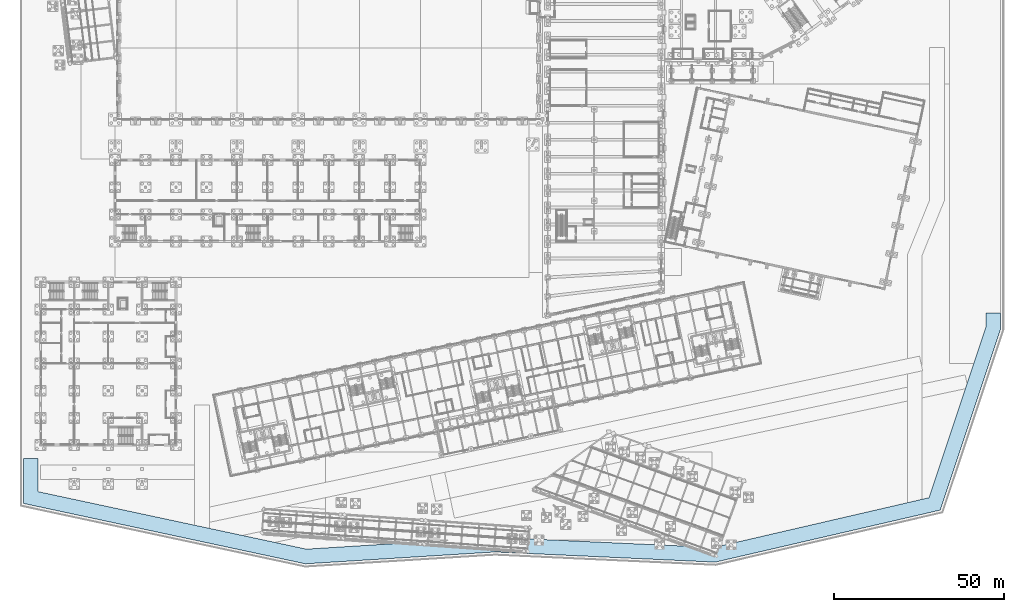
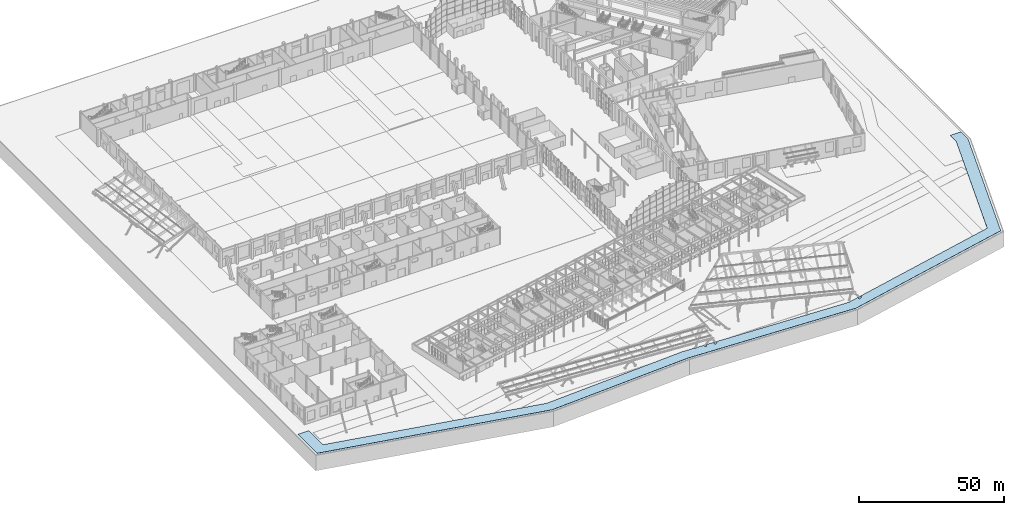
# One storey, part 146 of 239: 1 slab.
"""IFC4 building model written with IfcOpenShell, lengths in metres."""

from ifc_helpers import new_model, si_unit, direction, frame, origin, place, context, subcontext, project, spatial, polyline, outline, extrude, material, layer, layer_set, type_object, element, save


model = new_model("IFC4")

# Units and contexts
model_context = context("Model", 3, precision=1e-05, world=origin(), true_north=direction((0.0, 1.0)))
body_context = subcontext(model_context, "Body", "Model", "MODEL_VIEW")
ifc_project = project(units=[si_unit("LENGTHUNIT", "METRE"), si_unit("AREAUNIT", "SQUARE_METRE"), si_unit("VOLUMEUNIT", "CUBIC_METRE"), si_unit("PLANEANGLEUNIT", "RADIAN"), si_unit("MASSUNIT", "GRAM", prefix="KILO")], contexts=[model_context])

# Site, building, storey
site_placement = place(None, origin())
site = spatial("IfcSite", under=ifc_project, at=site_placement, CompositionType="ELEMENT")
building_placement = place(site_placement, origin())
building = spatial("IfcBuilding", under=site, at=building_placement, Name="Okhra Congress Centre", CompositionType="ELEMENT")
storey_placement = place(building_placement, origin())
storey = spatial("IfcBuildingStorey", under=building, at=storey_placement, Name="L00", CompositionType="ELEMENT", Elevation=0.0)

# Slab
ifc_material = material(Name="Concrete C30/37", Category="concrete")
ifc_layer = layer(ifc_material, 0.219970703125)
ifc_layer_set = layer_set([ifc_layer], Name="RC fire appliance lane slab 220 C30/37")
slab_type = type_object("IfcSlabType", Name="RC fire appliance lane slab 220 C30/37", PredefinedType="BASESLAB", material=ifc_layer_set)
slab_placement = place(storey_placement, frame((0.0, 0.0, -0.219970703125)))
element("IfcSlab", 1, at=slab_placement, inside=storey, type_object=slab_type, Name="Perimeter Road South paving", PredefinedType="BASESLAB", context=body_context, shape_type="SweptSolid", body=[
    extrude(outline(polyline([(84.397216796875, 5.335205078125), (5.300048828125, 22.28466796875), (5.300048828125, 32.0), (1.0, 32.0), (1.0, 18.808349609375), (84.074951171875, 1.006591796875), (139.99169921875, 4.50146484375), (204.90869140625, 1.50537109375), (271.228515625, 16.847900390625), (289.0, 70.162353515625), (289.0, 75.0), (284.699951171875, 75.0), (284.699951171875, 70.860107421875), (267.911376953125, 20.494140625), (209.693603515625, 7.02587890625), (209.901611328125, 6.769775390625), (209.92138671875, 6.739990234375), (209.95166015625, 6.67529296875), (209.968505859375, 6.606201171875), (209.9716796875, 6.534912109375), (209.9609375, 6.464111328125), (209.936767578125, 6.397216796875), (209.899658203125, 6.336181640625), (209.876953125, 6.30859375), (209.82421875, 6.260986328125), (209.205322265625, 5.806396484375), (209.14404296875, 5.77001953125), (209.111083984375, 5.756591796875), (209.076904296875, 5.746337890625), (209.006103515625, 5.736083984375), (208.93505859375, 5.739990234375), (208.89990234375, 5.7470703125), (208.8330078125, 5.771484375), (208.801513671875, 5.78857421875), (208.744384765625, 5.831298828125), (208.696533203125, 5.88427734375), (208.677001953125, 5.9140625), (208.646728515625, 5.978759765625), (208.636474609375, 6.012939453125), (208.626220703125, 6.08349609375), (208.630126953125, 6.15478515625), (208.647705078125, 6.22412109375), (208.66162109375, 6.2568359375), (208.698486328125, 6.318115234375), (208.72119140625, 6.345458984375), (208.774169921875, 6.39306640625), (209.608642578125, 7.006103515625), (204.515869140625, 5.827880859375), (188.808349609375, 6.552978515625), (188.7294921875, 6.489013671875), (188.668212890625, 6.45263671875), (188.600830078125, 6.428955078125), (188.5302734375, 6.4189453125), (188.494384765625, 6.419189453125), (188.423828125, 6.429931640625), (188.35693359375, 6.454345703125), (188.325439453125, 6.471435546875), (188.268310546875, 6.51416015625), (188.202392578125, 6.580810546875), (153.310791015625, 8.19140625), (153.323486328125, 7.960693359375), (153.317138671875, 7.889404296875), (153.296875, 7.821044921875), (153.281982421875, 7.788818359375), (153.24267578125, 7.72900390625), (152.677978515625, 7.156494140625), (152.618896484375, 7.11669921875), (152.55322265625, 7.0888671875), (152.4833984375, 7.074462890625), (152.44775390625, 7.072509765625), (152.376708984375, 7.078857421875), (152.341796875, 7.08740234375), (152.27587890625, 7.1142578125), (152.21630859375, 7.1533203125), (152.165283203125, 7.20361328125), (152.143798828125, 7.23193359375), (152.10986328125, 7.294677734375), (152.088623046875, 7.36279296875), (152.081298828125, 7.433837890625), (152.087646484375, 7.5048828125), (152.10791015625, 7.5732421875), (152.123046875, 7.605712890625), (152.162109375, 7.665283203125), (152.7060546875, 8.21923828125), (149.14404296875, 8.383544921875), (149.09423828125, 7.67041015625), (149.082275390625, 7.600341796875), (149.0712890625, 7.56640625), (149.056884765625, 7.53369140625), (149.018798828125, 7.47314453125), (148.969970703125, 7.42138671875), (148.91162109375, 7.380126953125), (148.8466796875, 7.350830078125), (148.812255859375, 7.34130859375), (148.777099609375, 7.3349609375), (148.705810546875, 7.3330078125), (148.63525390625, 7.344970703125), (148.601318359375, 7.35595703125), (148.53759765625, 7.3876953125), (148.50830078125, 7.408203125), (148.456298828125, 7.457275390625), (148.434326171875, 7.4853515625), (148.39892578125, 7.54736328125), (148.376220703125, 7.614990234375), (148.3701171875, 7.650146484375), (148.367919921875, 7.72119140625), (148.41650390625, 8.417236328125), (145.727783203125, 8.541259765625), (145.135009765625, 8.187255859375), (145.06787109375, 8.1630859375), (145.032958984375, 8.156005859375), (144.961669921875, 8.152587890625), (144.89111328125, 8.162841796875), (144.82373046875, 8.18701171875), (144.7626953125, 8.223388671875), (144.709716796875, 8.271484375), (144.6669921875, 8.32861328125), (144.636474609375, 8.39306640625), (144.626220703125, 8.42724609375), (144.593017578125, 8.59375), (139.956787109375, 8.8076171875), (84.397216796875, 5.335205078125)])), origin(), (0.0, 0.0, 1.0), 0.219970703125),
])

save(model, "model.ifc")
